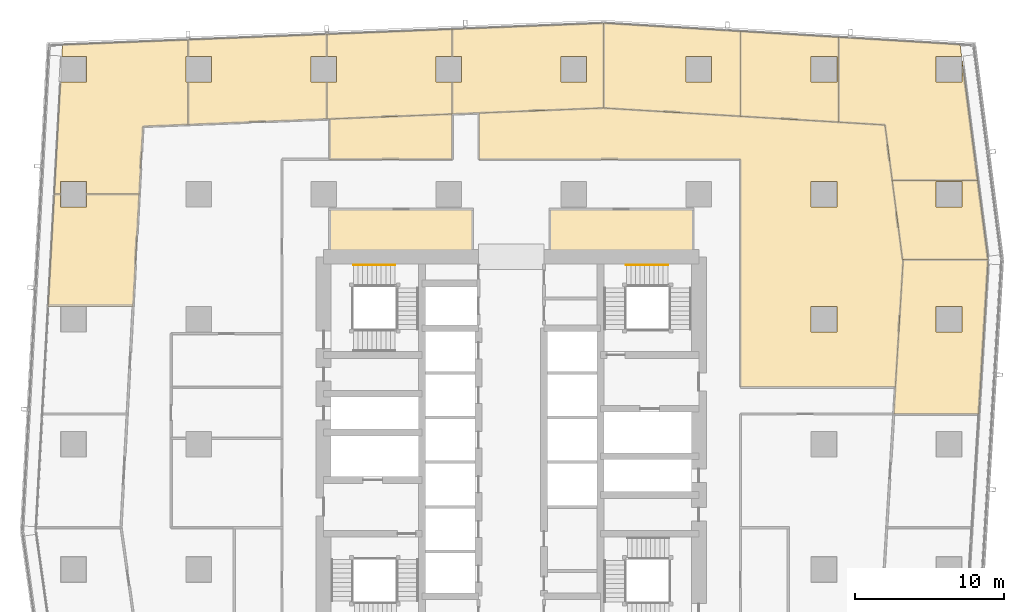
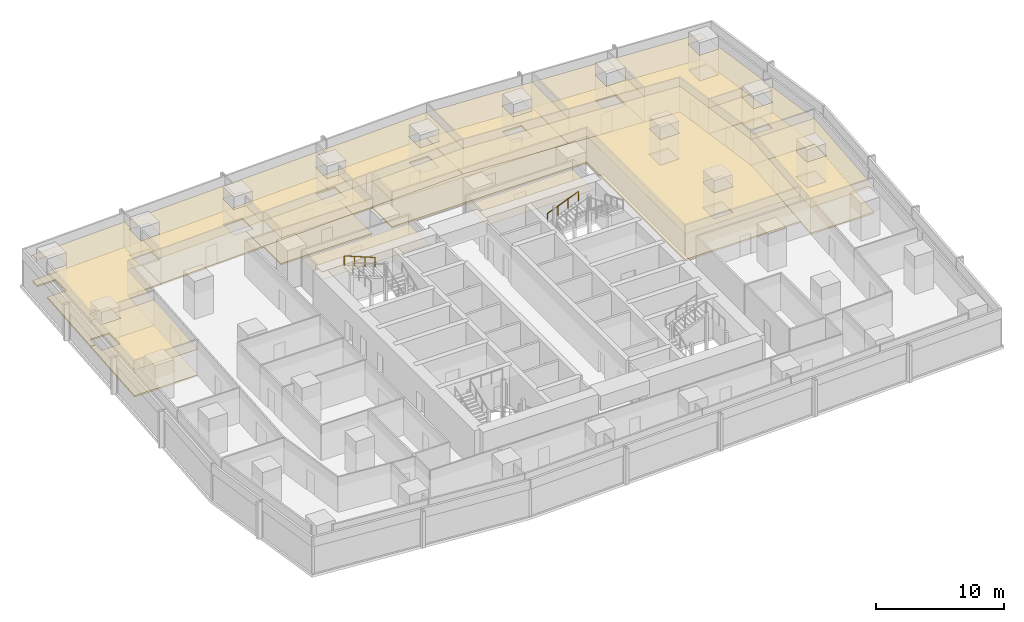
# One storey, part 40 of 40: 26 coverings, 2 railings.
"""IFC4 building model written with IfcOpenShell, lengths in metres."""

from ifc_helpers import new_model, si_unit, direction, frame, origin, origin_2d, place, context, subcontext, project, spatial, polyline, circle, outline, extrude, material, layer, layer_set, type_object, element, save


model = new_model("IFC4")

# Units and contexts
model_context = context("Model", 3, precision=1e-05, world=origin(), true_north=direction((0.0, 1.0)))
body_context = subcontext(model_context, "Body", "Model", "MODEL_VIEW")
ifc_project = project(units=[si_unit("LENGTHUNIT", "METRE"), si_unit("AREAUNIT", "SQUARE_METRE"), si_unit("VOLUMEUNIT", "CUBIC_METRE"), si_unit("PLANEANGLEUNIT", "RADIAN"), si_unit("MASSUNIT", "GRAM", prefix="KILO")], contexts=[model_context])

# Site, building, storey
site_placement = place(None, origin())
site = spatial("IfcSite", under=ifc_project, at=site_placement, CompositionType="ELEMENT")
building_placement = place(site_placement, origin())
building = spatial("IfcBuilding", under=site, at=building_placement, Name="Rekha Terrace Tower", CompositionType="ELEMENT")
storey_placement = place(building_placement, frame((0.0, 0.0, 140.300048828125)))
storey = spatial("IfcBuildingStorey", under=building, at=storey_placement, Name="L35", CompositionType="ELEMENT", Elevation=140.300048828125)

# Coverings
ifc_material_1 = material(Name="Mineral fibre tile in exposed grid", Category="finish")
ifc_layer_1 = layer(ifc_material_1, 0.02001953125)
ifc_layer_set_1 = layer_set([ifc_layer_1], Name="Mineral fibre tile in exposed grid")
covering_type_1 = type_object("IfcCoveringType", Name="CL1 600x1200 office grid ceiling", PredefinedType="CEILING", material=ifc_layer_set_1)
covering_1_placement = place(storey_placement, frame((0.0, 0.0, 2.579833984375)))
element("IfcCovering", 1, at=covering_1_placement, inside=storey, type_object=covering_type_1, Name="Ceiling L35-06", PredefinedType="CEILING", context=body_context, shape_type="SweptSolid", body=[
    extrude(outline(polyline([(69.837890625, 46.0029296875), (64.126953125, 46.0029296875), (63.60205078125, 37.43701171875), (63.531005859375, 36.26611328125), (63.491943359375, 35.634033203125), (69.202880859375, 35.634033203125), (69.837890625, 46.0029296875)]), holes=[polyline([(68.06494140625, 41.135009765625), (66.3349609375, 41.135009765625), (66.3349609375, 42.864990234375), (68.06494140625, 42.864990234375), (68.06494140625, 41.135009765625)])]), origin(), (0.0, 0.0, 1.0), 0.02001953125),
])
covering_2_placement = place(storey_placement, frame((0.0, 0.0, 2.579833984375)))
element("IfcCovering", 2, at=covering_2_placement, inside=storey, type_object=covering_type_1, Name="Ceiling L35-07", PredefinedType="CEILING", context=body_context, shape_type="SweptSolid", body=[
    extrude(outline(polyline([(64.083984375, 46.00390625), (69.83203125, 46.00390625), (69.136962890625, 51.337890625), (63.388916015625, 51.337890625), (64.083984375, 46.00390625)]), holes=[polyline([(68.06494140625, 49.534912109375), (66.3349609375, 49.534912109375), (66.3349609375, 51.264892578125), (68.06494140625, 51.264892578125), (68.06494140625, 49.534912109375)])]), origin(), (0.0, 0.0, 1.0), 0.02001953125),
])
covering_3_placement = place(storey_placement, frame((0.0, 0.0, 2.579833984375)))
element("IfcCovering", 3, at=covering_3_placement, inside=storey, type_object=covering_type_1, Name="Ceiling L35-08", PredefinedType="CEILING", context=body_context, shape_type="SweptSolid", body=[
    extrude(outline(polyline([(67.948974609375, 60.462890625), (59.7880859375, 60.952880859375), (59.7880859375, 55.242919921875), (62.905029296875, 55.055908203125), (63.388916015625, 51.339111328125), (69.136962890625, 51.339111328125), (68.0849609375, 59.416015625), (68.06494140625, 59.4150390625), (68.06494140625, 57.93505859375), (66.3349609375, 57.93505859375), (66.3349609375, 59.6650390625), (68.052978515625, 59.6650390625), (67.948974609375, 60.462890625)])), origin(), (0.0, 0.0, 1.0), 0.02001953125),
])
covering_4_placement = place(storey_placement, frame((0.0, 0.0, 2.579833984375)))
element("IfcCovering", 4, at=covering_4_placement, inside=storey, type_object=covering_type_1, Name="Ceiling L35-09", PredefinedType="CEILING", context=body_context, shape_type="SweptSolid", body=[
    extrude(outline(polyline([(59.787109375, 55.242919921875), (59.787109375, 60.9541015625), (53.197021484375, 61.35009765625), (53.197021484375, 55.638916015625), (59.787109375, 55.242919921875)]), holes=[polyline([(59.6650390625, 57.93505859375), (57.93505859375, 57.93505859375), (57.93505859375, 59.6650390625), (59.6650390625, 59.6650390625), (59.6650390625, 57.93505859375)])]), origin(), (0.0, 0.0, 1.0), 0.02001953125),
])
covering_5_placement = place(storey_placement, frame((0.0, 0.0, 2.579833984375)))
element("IfcCovering", 5, at=covering_5_placement, inside=storey, type_object=covering_type_1, Name="Ceiling L35-10", PredefinedType="CEILING", context=body_context, shape_type="SweptSolid", body=[
    extrude(outline(polyline([(53.196044921875, 55.638916015625), (53.196044921875, 61.35009765625), (44.00390625, 61.902099609375), (44.00390625, 56.19189453125), (53.196044921875, 55.638916015625)]), holes=[polyline([(51.264892578125, 57.93505859375), (49.534912109375, 57.93505859375), (49.534912109375, 59.6650390625), (51.264892578125, 59.6650390625), (51.264892578125, 57.93505859375)])]), origin(), (0.0, 0.0, 1.0), 0.02001953125),
])
covering_6_placement = place(storey_placement, frame((0.0, 0.0, 2.579833984375)))
element("IfcCovering", 6, at=covering_6_placement, inside=storey, type_object=covering_type_1, Name="Ceiling L35-11", PredefinedType="CEILING", context=body_context, shape_type="SweptSolid", body=[
    extrude(outline(polyline([(33.827880859375, 57.93505859375), (33.827880859375, 55.785888671875), (35.05908203125, 55.8359375), (44.0029296875, 56.194091796875), (44.0029296875, 61.89892578125), (33.827880859375, 61.490966796875), (33.827880859375, 59.6650390625), (34.465087890625, 59.6650390625), (34.465087890625, 57.93505859375), (33.827880859375, 57.93505859375)]), holes=[polyline([(42.864990234375, 57.93505859375), (41.135009765625, 57.93505859375), (41.135009765625, 59.6650390625), (42.864990234375, 59.6650390625), (42.864990234375, 57.93505859375)])]), origin(), (0.0, 0.0, 1.0), 0.02001953125),
])
covering_7_placement = place(storey_placement, frame((0.0, 0.0, 2.579833984375)))
element("IfcCovering", 7, at=covering_7_placement, inside=storey, type_object=covering_type_1, Name="Ceiling L35-12", PredefinedType="CEILING", context=body_context, shape_type="SweptSolid", body=[
    extrude(outline(polyline([(26.06494140625, 57.93505859375), (25.4140625, 57.93505859375), (25.4140625, 55.448974609375), (33.826904296875, 55.785888671875), (33.826904296875, 57.93505859375), (32.735107421875, 57.93505859375), (32.735107421875, 59.6650390625), (33.826904296875, 59.6650390625), (33.826904296875, 61.490966796875), (25.4140625, 61.154052734375), (25.4140625, 59.6650390625), (26.06494140625, 59.6650390625), (26.06494140625, 57.93505859375)])), origin(), (0.0, 0.0, 1.0), 0.02001953125),
])
covering_8_placement = place(storey_placement, frame((0.0, 0.0, 2.579833984375)))
element("IfcCovering", 8, at=covering_8_placement, inside=storey, type_object=covering_type_1, Name="Ceiling L35-13", PredefinedType="CEILING", context=body_context, shape_type="SweptSolid", body=[
    extrude(outline(polyline([(33.825927734375, 55.785888671875), (31.60009765625, 55.697021484375), (25.60009765625, 55.45703125), (25.60009765625, 52.75), (33.825927734375, 52.75), (33.825927734375, 55.785888671875)])), origin(), (0.0, 0.0, 1.0), 0.02001953125),
])
covering_9_placement = place(storey_placement, frame((0.0, 0.0, 2.579833984375)))
element("IfcCovering", 9, at=covering_9_placement, inside=storey, type_object=covering_type_1, Name="Ceiling L35-O1", PredefinedType="CEILING", context=body_context, shape_type="SweptSolid", body=[
    extrude(outline(polyline([(53.196044921875, 55.638916015625), (44.007080078125, 56.19189453125), (43.98095703125, 56.193115234375), (35.6259765625, 55.85791015625), (35.6259765625, 52.75), (53.199951171875, 52.75), (53.199951171875, 37.43701171875), (63.60205078125, 37.43701171875), (64.113037109375, 45.777099609375), (64.08203125, 46.02001953125), (63.386962890625, 51.35498046875), (62.905029296875, 55.055908203125), (59.787109375, 55.242919921875), (53.196044921875, 55.638916015625)]), holes=[polyline([(59.6650390625, 41.135009765625), (57.93505859375, 41.135009765625), (57.93505859375, 42.864990234375), (59.6650390625, 42.864990234375), (59.6650390625, 41.135009765625)]), polyline([(59.6650390625, 49.534912109375), (57.93505859375, 49.534912109375), (57.93505859375, 51.264892578125), (59.6650390625, 51.264892578125), (59.6650390625, 49.534912109375)])]), origin(), (0.0, 0.0, 1.0), 0.02001953125),
])
covering_10_placement = place(storey_placement, frame((0.0, 0.0, 2.579833984375)))
element("IfcCovering", 10, at=covering_10_placement, inside=storey, type_object=covering_type_1, Name="Ceiling L35-14", PredefinedType="CEILING", context=body_context, shape_type="SweptSolid", body=[
    extrude(outline(polyline([(16.10205078125, 57.93505859375), (16.10205078125, 55.075927734375), (25.4130859375, 55.448974609375), (25.4130859375, 57.93505859375), (24.3349609375, 57.93505859375), (24.3349609375, 59.6650390625), (25.4130859375, 59.6650390625), (25.4130859375, 61.154052734375), (16.10205078125, 60.781005859375), (16.10205078125, 59.6650390625), (17.6650390625, 59.6650390625), (17.6650390625, 57.93505859375), (16.10205078125, 57.93505859375)])), origin(), (0.0, 0.0, 1.0), 0.02001953125),
])
covering_11_placement = place(storey_placement, frame((0.0, 0.0, 2.579833984375)))
element("IfcCovering", 11, at=covering_11_placement, inside=storey, type_object=covering_type_1, Name="Ceiling L35-15", PredefinedType="CEILING", context=body_context, shape_type="SweptSolid", body=[
    extrude(outline(polyline([(9.264892578125, 57.93505859375), (7.51611328125, 57.93505859375), (7.10302734375, 50.403076171875), (7.534912109375, 50.403076171875), (7.534912109375, 51.264892578125), (9.264892578125, 51.264892578125), (9.264892578125, 50.403076171875), (12.81103515625, 50.403076171875), (13.06103515625, 54.9541015625), (16.10107421875, 55.075927734375), (16.10107421875, 57.93505859375), (15.93505859375, 57.93505859375), (15.93505859375, 59.6650390625), (16.10107421875, 59.6650390625), (16.10107421875, 60.781005859375), (7.653076171875, 60.44189453125), (7.610107421875, 59.6650390625), (9.264892578125, 59.6650390625), (9.264892578125, 57.93505859375)])), origin(), (0.0, 0.0, 1.0), 0.02001953125),
])
covering_12_placement = place(storey_placement, frame((0.0, 0.0, 2.579833984375)))
element("IfcCovering", 12, at=covering_12_placement, inside=storey, type_object=covering_type_1, Name="Ceiling L35-16", PredefinedType="CEILING", context=body_context, shape_type="SweptSolid", body=[
    extrude(outline(polyline([(6.68994140625, 42.873046875), (12.39794921875, 42.873046875), (12.81103515625, 50.402099609375), (9.264892578125, 50.402099609375), (9.264892578125, 49.534912109375), (7.534912109375, 49.534912109375), (7.534912109375, 50.402099609375), (7.10302734375, 50.402099609375), (6.68994140625, 42.873046875)])), origin(), (0.0, 0.0, 1.0), 0.02001953125),
])
ifc_material_2 = material(Name="Fibre cement board", Category="finish")
ifc_layer_2 = layer(ifc_material_2, 0.014892578125)
ifc_layer_set_2 = layer_set([ifc_layer_2], Name="Fibre cement board")
covering_type_2 = type_object("IfcCoveringType", Name="CL2 moisture-resistant board ceiling", PredefinedType="CEILING", material=ifc_layer_set_2)
covering_13_placement = place(storey_placement, frame((0.0, 0.0, 2.5849609375)))
element("IfcCovering", 13, at=covering_13_placement, inside=storey, type_object=covering_type_2, Name="Ceiling L35-WCF", PredefinedType="CEILING", context=body_context, shape_type="SweptSolid", body=[
    extrude(outline(polyline([(50.0, 49.39990234375), (40.39990234375, 49.39990234375), (40.39990234375, 46.199951171875), (50.0, 46.199951171875), (50.0, 49.39990234375)])), origin(), (0.0, 0.0, 1.0), 0.014892578125),
])
covering_14_placement = place(storey_placement, frame((0.0, 0.0, 2.5849609375)))
element("IfcCovering", 14, at=covering_14_placement, inside=storey, type_object=covering_type_2, Name="Ceiling L35-WCF2", PredefinedType="CEILING", context=body_context, shape_type="SweptSolid", body=[
    extrude(outline(polyline([(35.199951171875, 49.39990234375), (25.60009765625, 49.39990234375), (25.60009765625, 46.199951171875), (35.199951171875, 46.199951171875), (35.199951171875, 49.39990234375)])), origin(), (0.0, 0.0, 1.0), 0.014892578125),
])

# Railings
ifc_material_3 = material(Name="Stainless steel tube", Category="steel")
railing_type = type_object("IfcRailingType", Name="HR1 900 stair handrail", PredefinedType="HANDRAIL", material=ifc_material_3)
railing_1_placement = place(storey_placement, frame((45.52490234375, 45.639892578125, 1.375)))
element("IfcRailing", 15, at=railing_1_placement, inside=storey, type_object=railing_type, Name="Handrail ST2 L35 flight 2", PredefinedType="HANDRAIL", context=body_context, shape_type="SweptSolid", body=[
    extrude(circle(Radius=0.02392578125, at=origin_2d()), frame((0.0, 0.0, 0.8759765625), z_axis=(0.927443287984, 0.0, 0.373963831907), x_axis=(0.0, 1.0, 0.0)), (0.0, 0.0, 1.0), 3.00830078125),
    extrude(circle(Radius=0.02099609375, at=origin_2d()), origin(), (0.0, 0.0, 1.0), 0.851806640625),
    extrude(circle(Radius=0.02099609375, at=origin_2d()), frame((0.929931640625, 0.0, 0.375)), (0.0, 0.0, 1.0), 0.851806640625),
    extrude(circle(Radius=0.02099609375, at=origin_2d()), frame((1.860107421875, 0.0, 0.75)), (0.0, 0.0, 1.0), 0.851806640625),
    extrude(circle(Radius=0.02099609375, at=origin_2d()), frame((2.7900390625, 0.0, 1.125)), (0.0, 0.0, 1.0), 0.851806640625),
])
railing_2_placement = place(storey_placement, frame((29.989990234375, 45.639892578125, 2.625)))
element("IfcRailing", 16, at=railing_2_placement, inside=storey, type_object=railing_type, Name="Handrail ST4 L35 flight 3", PredefinedType="HANDRAIL", context=body_context, shape_type="SweptSolid", body=[
    extrude(circle(Radius=0.02392578125, at=origin_2d()), frame((0.0, 0.0, 0.8759765625), z_axis=(-0.927443287984, 0.0, 0.373963831907), x_axis=(0.0, -1.0, 0.0)), (0.0, 0.0, 1.0), 3.00830078125),
    extrude(circle(Radius=0.02099609375, at=origin_2d()), origin(), (0.0, 0.0, 1.0), 0.851806640625),
    extrude(circle(Radius=0.02099609375, at=origin_2d()), frame((-0.929931640625, 0.0, 0.375)), (0.0, 0.0, 1.0), 0.851806640625),
    extrude(circle(Radius=0.02099609375, at=origin_2d()), frame((-1.860107421875, 0.0, 0.75)), (0.0, 0.0, 1.0), 0.851806640625),
    extrude(circle(Radius=0.02099609375, at=origin_2d()), frame((-2.7900390625, 0.0, 1.125)), (0.0, 0.0, 1.0), 0.851806640625),
])

# Coverings
ifc_material_4 = material(Name="Calcium sulphate panels on steel pedestals", Category="steel")
ifc_layer_3 = layer(ifc_material_4, 0.14990234375)
ifc_layer_set_3 = layer_set([ifc_layer_3], Name="Calcium sulphate panels on steel pedestals")
covering_type_3 = type_object("IfcCoveringType", Name="RF1 150 raised access floor", PredefinedType="FLOORING", material=ifc_layer_set_3)
covering_15_placement = place(storey_placement, origin())
element("IfcCovering", 17, at=covering_15_placement, inside=storey, type_object=covering_type_3, Name="Raised floor L35-06", PredefinedType="FLOORING", context=body_context, shape_type="SweptSolid", body=[
    extrude(outline(polyline([(69.837890625, 46.0029296875), (64.126953125, 46.0029296875), (63.60205078125, 37.43701171875), (63.531005859375, 36.26611328125), (63.491943359375, 35.634033203125), (69.202880859375, 35.634033203125), (69.837890625, 46.0029296875)]), holes=[polyline([(68.06494140625, 41.135009765625), (66.3349609375, 41.135009765625), (66.3349609375, 42.864990234375), (68.06494140625, 42.864990234375), (68.06494140625, 41.135009765625)])]), origin(), (0.0, 0.0, 1.0), 0.14990234375),
])
covering_16_placement = place(storey_placement, origin())
element("IfcCovering", 18, at=covering_16_placement, inside=storey, type_object=covering_type_3, Name="Raised floor L35-07", PredefinedType="FLOORING", context=body_context, shape_type="SweptSolid", body=[
    extrude(outline(polyline([(64.083984375, 46.00390625), (69.83203125, 46.00390625), (69.136962890625, 51.337890625), (63.388916015625, 51.337890625), (64.083984375, 46.00390625)]), holes=[polyline([(68.06494140625, 49.534912109375), (66.3349609375, 49.534912109375), (66.3349609375, 51.264892578125), (68.06494140625, 51.264892578125), (68.06494140625, 49.534912109375)])]), origin(), (0.0, 0.0, 1.0), 0.14990234375),
])
covering_17_placement = place(storey_placement, origin())
element("IfcCovering", 19, at=covering_17_placement, inside=storey, type_object=covering_type_3, Name="Raised floor L35-08", PredefinedType="FLOORING", context=body_context, shape_type="SweptSolid", body=[
    extrude(outline(polyline([(67.948974609375, 60.462890625), (59.7880859375, 60.952880859375), (59.7880859375, 55.242919921875), (62.905029296875, 55.055908203125), (63.388916015625, 51.339111328125), (69.136962890625, 51.339111328125), (68.0849609375, 59.416015625), (68.06494140625, 59.4150390625), (68.06494140625, 57.93505859375), (66.3349609375, 57.93505859375), (66.3349609375, 59.6650390625), (68.052978515625, 59.6650390625), (67.948974609375, 60.462890625)])), origin(), (0.0, 0.0, 1.0), 0.14990234375),
])
covering_18_placement = place(storey_placement, origin())
element("IfcCovering", 20, at=covering_18_placement, inside=storey, type_object=covering_type_3, Name="Raised floor L35-09", PredefinedType="FLOORING", context=body_context, shape_type="SweptSolid", body=[
    extrude(outline(polyline([(59.787109375, 55.242919921875), (59.787109375, 60.9541015625), (53.197021484375, 61.35009765625), (53.197021484375, 55.638916015625), (59.787109375, 55.242919921875)]), holes=[polyline([(59.6650390625, 57.93505859375), (57.93505859375, 57.93505859375), (57.93505859375, 59.6650390625), (59.6650390625, 59.6650390625), (59.6650390625, 57.93505859375)])]), origin(), (0.0, 0.0, 1.0), 0.14990234375),
])
covering_19_placement = place(storey_placement, origin())
element("IfcCovering", 21, at=covering_19_placement, inside=storey, type_object=covering_type_3, Name="Raised floor L35-10", PredefinedType="FLOORING", context=body_context, shape_type="SweptSolid", body=[
    extrude(outline(polyline([(53.196044921875, 55.638916015625), (53.196044921875, 61.35009765625), (44.00390625, 61.902099609375), (44.00390625, 56.19189453125), (53.196044921875, 55.638916015625)]), holes=[polyline([(51.264892578125, 57.93505859375), (49.534912109375, 57.93505859375), (49.534912109375, 59.6650390625), (51.264892578125, 59.6650390625), (51.264892578125, 57.93505859375)])]), origin(), (0.0, 0.0, 1.0), 0.14990234375),
])
covering_20_placement = place(storey_placement, origin())
element("IfcCovering", 22, at=covering_20_placement, inside=storey, type_object=covering_type_3, Name="Raised floor L35-11", PredefinedType="FLOORING", context=body_context, shape_type="SweptSolid", body=[
    extrude(outline(polyline([(33.827880859375, 57.93505859375), (33.827880859375, 55.785888671875), (35.05908203125, 55.8359375), (44.0029296875, 56.194091796875), (44.0029296875, 61.89892578125), (33.827880859375, 61.490966796875), (33.827880859375, 59.6650390625), (34.465087890625, 59.6650390625), (34.465087890625, 57.93505859375), (33.827880859375, 57.93505859375)]), holes=[polyline([(42.864990234375, 57.93505859375), (41.135009765625, 57.93505859375), (41.135009765625, 59.6650390625), (42.864990234375, 59.6650390625), (42.864990234375, 57.93505859375)])]), origin(), (0.0, 0.0, 1.0), 0.14990234375),
])
covering_21_placement = place(storey_placement, origin())
element("IfcCovering", 23, at=covering_21_placement, inside=storey, type_object=covering_type_3, Name="Raised floor L35-12", PredefinedType="FLOORING", context=body_context, shape_type="SweptSolid", body=[
    extrude(outline(polyline([(26.06494140625, 57.93505859375), (25.4140625, 57.93505859375), (25.4140625, 55.448974609375), (33.826904296875, 55.785888671875), (33.826904296875, 57.93505859375), (32.735107421875, 57.93505859375), (32.735107421875, 59.6650390625), (33.826904296875, 59.6650390625), (33.826904296875, 61.490966796875), (25.4140625, 61.154052734375), (25.4140625, 59.6650390625), (26.06494140625, 59.6650390625), (26.06494140625, 57.93505859375)])), origin(), (0.0, 0.0, 1.0), 0.14990234375),
])
covering_22_placement = place(storey_placement, origin())
element("IfcCovering", 24, at=covering_22_placement, inside=storey, type_object=covering_type_3, Name="Raised floor L35-13", PredefinedType="FLOORING", context=body_context, shape_type="SweptSolid", body=[
    extrude(outline(polyline([(33.825927734375, 55.785888671875), (31.60009765625, 55.697021484375), (25.60009765625, 55.45703125), (25.60009765625, 52.75), (33.825927734375, 52.75), (33.825927734375, 55.785888671875)])), origin(), (0.0, 0.0, 1.0), 0.14990234375),
])
covering_23_placement = place(storey_placement, origin())
element("IfcCovering", 25, at=covering_23_placement, inside=storey, type_object=covering_type_3, Name="Raised floor L35-O1", PredefinedType="FLOORING", context=body_context, shape_type="SweptSolid", body=[
    extrude(outline(polyline([(53.196044921875, 55.638916015625), (44.007080078125, 56.19189453125), (43.98095703125, 56.193115234375), (35.6259765625, 55.85791015625), (35.6259765625, 52.75), (53.199951171875, 52.75), (53.199951171875, 37.43701171875), (63.60205078125, 37.43701171875), (64.113037109375, 45.777099609375), (64.08203125, 46.02001953125), (63.386962890625, 51.35498046875), (62.905029296875, 55.055908203125), (59.787109375, 55.242919921875), (53.196044921875, 55.638916015625)]), holes=[polyline([(59.6650390625, 41.135009765625), (57.93505859375, 41.135009765625), (57.93505859375, 42.864990234375), (59.6650390625, 42.864990234375), (59.6650390625, 41.135009765625)]), polyline([(59.6650390625, 49.534912109375), (57.93505859375, 49.534912109375), (57.93505859375, 51.264892578125), (59.6650390625, 51.264892578125), (59.6650390625, 49.534912109375)])]), origin(), (0.0, 0.0, 1.0), 0.14990234375),
])
covering_24_placement = place(storey_placement, origin())
element("IfcCovering", 26, at=covering_24_placement, inside=storey, type_object=covering_type_3, Name="Raised floor L35-14", PredefinedType="FLOORING", context=body_context, shape_type="SweptSolid", body=[
    extrude(outline(polyline([(16.10205078125, 57.93505859375), (16.10205078125, 55.075927734375), (25.4130859375, 55.448974609375), (25.4130859375, 57.93505859375), (24.3349609375, 57.93505859375), (24.3349609375, 59.6650390625), (25.4130859375, 59.6650390625), (25.4130859375, 61.154052734375), (16.10205078125, 60.781005859375), (16.10205078125, 59.6650390625), (17.6650390625, 59.6650390625), (17.6650390625, 57.93505859375), (16.10205078125, 57.93505859375)])), origin(), (0.0, 0.0, 1.0), 0.14990234375),
])
covering_25_placement = place(storey_placement, origin())
element("IfcCovering", 27, at=covering_25_placement, inside=storey, type_object=covering_type_3, Name="Raised floor L35-15", PredefinedType="FLOORING", context=body_context, shape_type="SweptSolid", body=[
    extrude(outline(polyline([(9.264892578125, 57.93505859375), (7.51611328125, 57.93505859375), (7.10302734375, 50.403076171875), (7.534912109375, 50.403076171875), (7.534912109375, 51.264892578125), (9.264892578125, 51.264892578125), (9.264892578125, 50.403076171875), (12.81103515625, 50.403076171875), (13.06103515625, 54.9541015625), (16.10107421875, 55.075927734375), (16.10107421875, 57.93505859375), (15.93505859375, 57.93505859375), (15.93505859375, 59.6650390625), (16.10107421875, 59.6650390625), (16.10107421875, 60.781005859375), (7.653076171875, 60.44189453125), (7.610107421875, 59.6650390625), (9.264892578125, 59.6650390625), (9.264892578125, 57.93505859375)])), origin(), (0.0, 0.0, 1.0), 0.14990234375),
])
covering_26_placement = place(storey_placement, origin())
element("IfcCovering", 28, at=covering_26_placement, inside=storey, type_object=covering_type_3, Name="Raised floor L35-16", PredefinedType="FLOORING", context=body_context, shape_type="SweptSolid", body=[
    extrude(outline(polyline([(6.68994140625, 42.873046875), (12.39794921875, 42.873046875), (12.81103515625, 50.402099609375), (9.264892578125, 50.402099609375), (9.264892578125, 49.534912109375), (7.534912109375, 49.534912109375), (7.534912109375, 50.402099609375), (7.10302734375, 50.402099609375), (6.68994140625, 42.873046875)])), origin(), (0.0, 0.0, 1.0), 0.14990234375),
])

save(model, "model.ifc")
